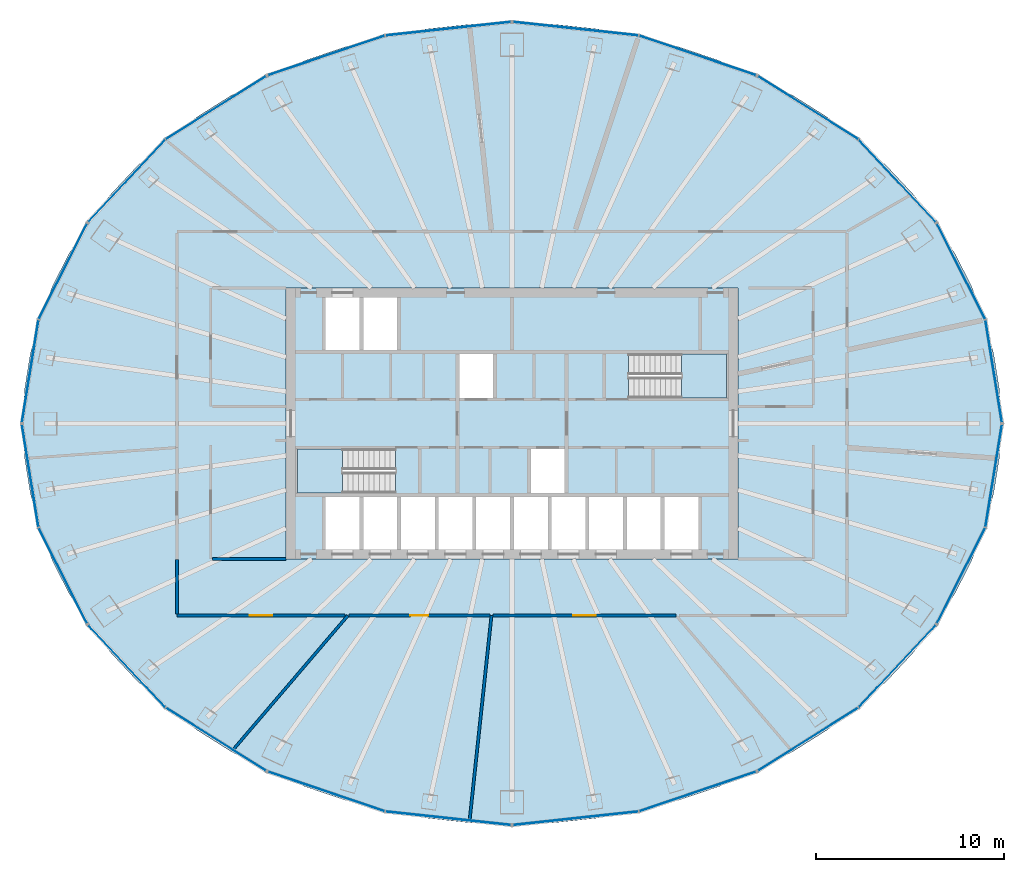
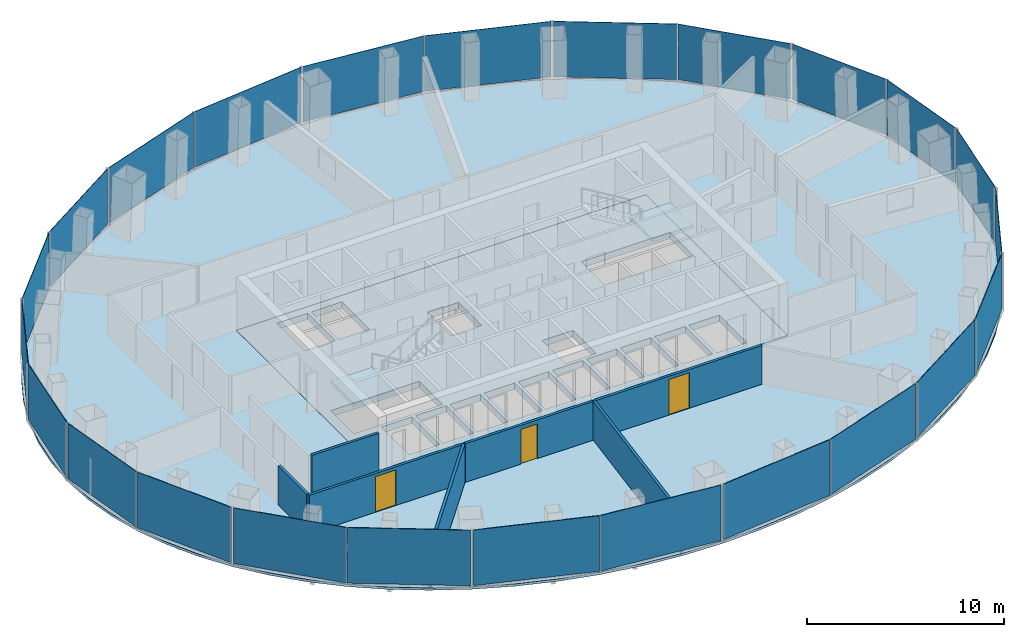
# One storey, part 7 of 12: 24 plates, 7 walls, 4 slabs, 3 doors, 3 openings, 14 elements without a shape of their own.
"""IFC4 building model written with IfcOpenShell, lengths in metres."""

from ifc_helpers import new_model, si_unit, direction, frame, frame_2d, origin, origin_2d, place, context, subcontext, project, spatial, polyline, rectangle, outline, extrude, material, layer, layer_set, type_object, element, fill, aggregate, save


model = new_model("IFC4")

# Units and contexts
model_context = context("Model", 3, precision=1e-05, world=origin(), true_north=direction((0.0, 1.0)))
body_context = subcontext(model_context, "Body", "Model", "MODEL_VIEW")
ifc_project = project(units=[si_unit("LENGTHUNIT", "METRE"), si_unit("AREAUNIT", "SQUARE_METRE"), si_unit("VOLUMEUNIT", "CUBIC_METRE"), si_unit("PLANEANGLEUNIT", "RADIAN"), si_unit("MASSUNIT", "GRAM", prefix="KILO")], contexts=[model_context])

# Site, building, storey
site_placement = place(None, origin())
site = spatial("IfcSite", under=ifc_project, at=site_placement, CompositionType="ELEMENT")
building_placement = place(site_placement, origin())
building = spatial("IfcBuilding", under=site, at=building_placement, Name="Siaravel Broadcast Tower", CompositionType="ELEMENT")
storey_placement = place(building_placement, frame((0.0, 0.0, 104.5)))
storey = spatial("IfcBuildingStorey", under=building, at=storey_placement, Name="L24", CompositionType="ELEMENT", Elevation=104.5)

# Curtain wall, plates
ifc_material_1 = material(Name="Aluminium 6063-T6", Category="aluminium")
ifc_layer_1 = layer(ifc_material_1, 0.199951171875)
ifc_layer_set_1 = layer_set([ifc_layer_1], Name="Aluminium 6063-T6")
curtain_wall_type = type_object("IfcCurtainWallType", Name="Unitised curtain wall, zone 2", PredefinedType="NOTDEFINED", material=ifc_layer_set_1)
curtain_wall_1_placement = place(storey_placement, origin())
curtain_wall_1 = element("IfcCurtainWall", 1, at=curtain_wall_1_placement, inside=storey, type_object=curtain_wall_type, Name="L24 Unitised curtain wall, zone 2 01", PredefinedType="NOTDEFINED")
ifc_material_2 = material(Name="Tinted laminated glass", Category="glass")
ifc_layer_2 = layer(ifc_material_2, 0.030029296875)
ifc_layer_set_2 = layer_set([ifc_layer_2], Name="Tinted laminated glass")
plate_type = type_object("IfcPlateType", Name="CW-Z2 glass panel", PredefinedType="CURTAIN_PANEL", material=ifc_layer_set_2)
plate_1_placement = place(storey_placement, frame((25.593017578125, 2.77880859375, 0.110107421875), z_axis=(0.0, 0.0, 1.0), x_axis=(-0.15868576, 0.987329139, 0.0)))
plate_1 = element("IfcPlate", 2, at=plate_1_placement, type_object=plate_type, Name="CW-Z2 glass panel", PredefinedType="CURTAIN_PANEL", context=body_context, shape_type="SweptSolid", body=[
    extrude(rectangle(XDim=5.498779296875, YDim=0.030029296875, at=origin_2d()), origin(), (0.0, 0.0, 1.0), 3.43994140625),
])
plate_2_placement = place(storey_placement, frame((23.857421875, 8.084716796875, 0.110107421875), z_axis=(0.0, 0.0, 1.0), x_axis=(-0.451261384, 0.892391822, 0.0)))
plate_2 = element("IfcPlate", 3, at=plate_2_placement, type_object=plate_type, Name="CW-Z2 glass panel", PredefinedType="CURTAIN_PANEL", context=body_context, shape_type="SweptSolid", body=[
    extrude(rectangle(XDim=5.6708984375, YDim=0.030029296875, at=origin_2d()), origin(), (0.0, 0.0, 1.0), 3.43994140625),
])
aggregate(curtain_wall_1, [plate_1, plate_2])

curtain_wall_2_placement = place(storey_placement, origin())
curtain_wall_2 = element("IfcCurtainWall", 4, at=curtain_wall_2_placement, inside=storey, type_object=curtain_wall_type, Name="L24 Unitised curtain wall, zone 2 02", PredefinedType="NOTDEFINED")
plate_3_placement = place(storey_placement, frame((20.467529296875, 12.894287109375, 0.110107421875), z_axis=(0.0, 0.0, 1.0), x_axis=(-0.683655524, 0.729804854, 0.0)))
plate_3 = element("IfcPlate", 5, at=plate_3_placement, type_object=plate_type, Name="CW-Z2 glass panel", PredefinedType="CURTAIN_PANEL", context=body_context, shape_type="SweptSolid", body=[
    extrude(rectangle(XDim=5.957275390625, YDim=0.030029296875, at=origin_2d()), origin(), (0.0, 0.0, 1.0), 3.43994140625),
])
plate_4_placement = place(storey_placement, frame((15.726318359375, 16.77783203125, 0.110107421875), z_axis=(0.0, 0.0, 1.0), x_axis=(-0.846650783, 0.5321489, 0.0)))
plate_4 = element("IfcPlate", 6, at=plate_4_placement, type_object=plate_type, Name="CW-Z2 glass panel", PredefinedType="CURTAIN_PANEL", context=body_context, shape_type="SweptSolid", body=[
    extrude(rectangle(XDim=6.272216796875, YDim=0.030029296875, at=origin_2d()), origin(), (0.0, 0.0, 1.0), 3.43994140625),
])
aggregate(curtain_wall_2, [plate_3, plate_4])

curtain_wall_3_placement = place(storey_placement, origin())
curtain_wall_3 = element("IfcCurtainWall", 7, at=curtain_wall_3_placement, inside=storey, type_object=curtain_wall_type, Name="L24 Unitised curtain wall, zone 2 03", PredefinedType="NOTDEFINED")
plate_5_placement = place(storey_placement, frame((9.861328125, 19.5517578125, 0.110107421875), z_axis=(0.0, 0.0, 1.0), x_axis=(-0.946977313, 0.321300433, 0.0)))
plate_5 = element("IfcPlate", 8, at=plate_5_placement, type_object=plate_type, Name="CW-Z2 glass panel", PredefinedType="CURTAIN_PANEL", context=body_context, shape_type="SweptSolid", body=[
    extrude(rectangle(XDim=6.532958984375, YDim=0.030029296875, at=origin_2d()), origin(), (0.0, 0.0, 1.0), 3.43994140625),
])
plate_6_placement = place(storey_placement, frame((3.384765625, 20.973388671875, 0.110107421875), z_axis=(0.0, 0.0, 1.0), x_axis=(-0.994235597, 0.107217428, 0.0)))
plate_6 = element("IfcPlate", 9, at=plate_6_placement, type_object=plate_type, Name="CW-Z2 glass panel", PredefinedType="CURTAIN_PANEL", context=body_context, shape_type="SweptSolid", body=[
    extrude(rectangle(XDim=6.678955078125, YDim=0.030029296875, at=origin_2d()), origin(), (0.0, 0.0, 1.0), 3.43994140625),
])
aggregate(curtain_wall_3, [plate_5, plate_6])

curtain_wall_4_placement = place(storey_placement, origin())
curtain_wall_4 = element("IfcCurtainWall", 10, at=curtain_wall_4_placement, inside=storey, type_object=curtain_wall_type, Name="L24 Unitised curtain wall, zone 2 04", PredefinedType="NOTDEFINED")
plate_7_placement = place(storey_placement, frame((-3.384765625, 20.973388671875, 0.110107421875), z_axis=(0.0, 0.0, 1.0), x_axis=(-0.994235597, -0.107217428, 0.0)))
plate_7 = element("IfcPlate", 11, at=plate_7_placement, type_object=plate_type, Name="CW-Z2 glass panel", PredefinedType="CURTAIN_PANEL", context=body_context, shape_type="SweptSolid", body=[
    extrude(rectangle(XDim=6.678955078125, YDim=0.030029296875, at=origin_2d()), origin(), (0.0, 0.0, 1.0), 3.43994140625),
])
plate_8_placement = place(storey_placement, frame((-9.861328125, 19.5517578125, 0.110107421875), z_axis=(0.0, 0.0, 1.0), x_axis=(-0.946977313, -0.321300433, 0.0)))
plate_8 = element("IfcPlate", 12, at=plate_8_placement, type_object=plate_type, Name="CW-Z2 glass panel", PredefinedType="CURTAIN_PANEL", context=body_context, shape_type="SweptSolid", body=[
    extrude(rectangle(XDim=6.532958984375, YDim=0.030029296875, at=origin_2d()), origin(), (0.0, 0.0, 1.0), 3.43994140625),
])
aggregate(curtain_wall_4, [plate_7, plate_8])

curtain_wall_5_placement = place(storey_placement, origin())
curtain_wall_5 = element("IfcCurtainWall", 13, at=curtain_wall_5_placement, inside=storey, type_object=curtain_wall_type, Name="L24 Unitised curtain wall, zone 2 05", PredefinedType="NOTDEFINED")
plate_9_placement = place(storey_placement, frame((-15.726318359375, 16.77783203125, 0.110107421875), z_axis=(0.0, 0.0, 1.0), x_axis=(-0.846650783, -0.5321489, 0.0)))
plate_9 = element("IfcPlate", 14, at=plate_9_placement, type_object=plate_type, Name="CW-Z2 glass panel", PredefinedType="CURTAIN_PANEL", context=body_context, shape_type="SweptSolid", body=[
    extrude(rectangle(XDim=6.272216796875, YDim=0.030029296875, at=origin_2d()), origin(), (0.0, 0.0, 1.0), 3.43994140625),
])
plate_10_placement = place(storey_placement, frame((-20.467529296875, 12.894287109375, 0.110107421875), z_axis=(0.0, 0.0, 1.0), x_axis=(-0.683655524, -0.729804854, 0.0)))
plate_10 = element("IfcPlate", 15, at=plate_10_placement, type_object=plate_type, Name="CW-Z2 glass panel", PredefinedType="CURTAIN_PANEL", context=body_context, shape_type="SweptSolid", body=[
    extrude(rectangle(XDim=5.957275390625, YDim=0.030029296875, at=origin_2d()), origin(), (0.0, 0.0, 1.0), 3.43994140625),
])
aggregate(curtain_wall_5, [plate_9, plate_10])

curtain_wall_6_placement = place(storey_placement, origin())
curtain_wall_6 = element("IfcCurtainWall", 16, at=curtain_wall_6_placement, inside=storey, type_object=curtain_wall_type, Name="L24 Unitised curtain wall, zone 2 06", PredefinedType="NOTDEFINED")
plate_11_placement = place(storey_placement, frame((-23.857421875, 8.084716796875, 0.110107421875), z_axis=(0.0, 0.0, 1.0), x_axis=(-0.451261384, -0.892391822, 0.0)))
plate_11 = element("IfcPlate", 17, at=plate_11_placement, type_object=plate_type, Name="CW-Z2 glass panel", PredefinedType="CURTAIN_PANEL", context=body_context, shape_type="SweptSolid", body=[
    extrude(rectangle(XDim=5.6708984375, YDim=0.030029296875, at=origin_2d()), origin(), (0.0, 0.0, 1.0), 3.43994140625),
])
plate_12_placement = place(storey_placement, frame((-25.593017578125, 2.77880859375, 0.110107421875), z_axis=(0.0, 0.0, 1.0), x_axis=(-0.15868576, -0.987329139, 0.0)))
plate_12 = element("IfcPlate", 18, at=plate_12_placement, type_object=plate_type, Name="CW-Z2 glass panel", PredefinedType="CURTAIN_PANEL", context=body_context, shape_type="SweptSolid", body=[
    extrude(rectangle(XDim=5.498779296875, YDim=0.030029296875, at=origin_2d()), origin(), (0.0, 0.0, 1.0), 3.43994140625),
])
aggregate(curtain_wall_6, [plate_11, plate_12])

curtain_wall_7_placement = place(storey_placement, origin())
curtain_wall_7 = element("IfcCurtainWall", 19, at=curtain_wall_7_placement, inside=storey, type_object=curtain_wall_type, Name="L24 Unitised curtain wall, zone 2 07", PredefinedType="NOTDEFINED")
plate_13_placement = place(storey_placement, frame((-25.593017578125, -2.77880859375, 0.110107421875), z_axis=(0.0, 0.0, 1.0), x_axis=(0.15868576, -0.987329139, 0.0)))
plate_13 = element("IfcPlate", 20, at=plate_13_placement, type_object=plate_type, Name="CW-Z2 glass panel", PredefinedType="CURTAIN_PANEL", context=body_context, shape_type="SweptSolid", body=[
    extrude(rectangle(XDim=5.498779296875, YDim=0.030029296875, at=origin_2d()), origin(), (0.0, 0.0, 1.0), 3.43994140625),
])
plate_14_placement = place(storey_placement, frame((-23.857421875, -8.084716796875, 0.110107421875), z_axis=(0.0, 0.0, 1.0), x_axis=(0.451261384, -0.892391822, 0.0)))
plate_14 = element("IfcPlate", 21, at=plate_14_placement, type_object=plate_type, Name="CW-Z2 glass panel", PredefinedType="CURTAIN_PANEL", context=body_context, shape_type="SweptSolid", body=[
    extrude(rectangle(XDim=5.6708984375, YDim=0.030029296875, at=origin_2d()), origin(), (0.0, 0.0, 1.0), 3.43994140625),
])
aggregate(curtain_wall_7, [plate_13, plate_14])

curtain_wall_8_placement = place(storey_placement, origin())
curtain_wall_8 = element("IfcCurtainWall", 22, at=curtain_wall_8_placement, inside=storey, type_object=curtain_wall_type, Name="L24 Unitised curtain wall, zone 2 08", PredefinedType="NOTDEFINED")
plate_15_placement = place(storey_placement, frame((-20.467529296875, -12.894287109375, 0.110107421875), z_axis=(0.0, 0.0, 1.0), x_axis=(0.683655524, -0.729804854, 0.0)))
plate_15 = element("IfcPlate", 23, at=plate_15_placement, type_object=plate_type, Name="CW-Z2 glass panel", PredefinedType="CURTAIN_PANEL", context=body_context, shape_type="SweptSolid", body=[
    extrude(rectangle(XDim=5.957275390625, YDim=0.030029296875, at=origin_2d()), origin(), (0.0, 0.0, 1.0), 3.43994140625),
])
plate_16_placement = place(storey_placement, frame((-15.726318359375, -16.77783203125, 0.110107421875), z_axis=(0.0, 0.0, 1.0), x_axis=(0.846650783, -0.5321489, 0.0)))
plate_16 = element("IfcPlate", 24, at=plate_16_placement, type_object=plate_type, Name="CW-Z2 glass panel", PredefinedType="CURTAIN_PANEL", context=body_context, shape_type="SweptSolid", body=[
    extrude(rectangle(XDim=6.272216796875, YDim=0.030029296875, at=origin_2d()), origin(), (0.0, 0.0, 1.0), 3.43994140625),
])
aggregate(curtain_wall_8, [plate_15, plate_16])

curtain_wall_9_placement = place(storey_placement, origin())
curtain_wall_9 = element("IfcCurtainWall", 25, at=curtain_wall_9_placement, inside=storey, type_object=curtain_wall_type, Name="L24 Unitised curtain wall, zone 2 09", PredefinedType="NOTDEFINED")
plate_17_placement = place(storey_placement, frame((-9.861328125, -19.5517578125, 0.110107421875), z_axis=(0.0, 0.0, 1.0), x_axis=(0.946977313, -0.321300433, 0.0)))
plate_17 = element("IfcPlate", 26, at=plate_17_placement, type_object=plate_type, Name="CW-Z2 glass panel", PredefinedType="CURTAIN_PANEL", context=body_context, shape_type="SweptSolid", body=[
    extrude(rectangle(XDim=6.532958984375, YDim=0.030029296875, at=origin_2d()), origin(), (0.0, 0.0, 1.0), 3.43994140625),
])
plate_18_placement = place(storey_placement, frame((-3.384765625, -20.973388671875, 0.110107421875), z_axis=(0.0, 0.0, 1.0), x_axis=(0.994235597, -0.107217428, 0.0)))
plate_18 = element("IfcPlate", 27, at=plate_18_placement, type_object=plate_type, Name="CW-Z2 glass panel", PredefinedType="CURTAIN_PANEL", context=body_context, shape_type="SweptSolid", body=[
    extrude(rectangle(XDim=6.678955078125, YDim=0.030029296875, at=origin_2d()), origin(), (0.0, 0.0, 1.0), 3.43994140625),
])
aggregate(curtain_wall_9, [plate_17, plate_18])

curtain_wall_10_placement = place(storey_placement, origin())
curtain_wall_10 = element("IfcCurtainWall", 28, at=curtain_wall_10_placement, inside=storey, type_object=curtain_wall_type, Name="L24 Unitised curtain wall, zone 2 10", PredefinedType="NOTDEFINED")
plate_19_placement = place(storey_placement, frame((3.384765625, -20.973388671875, 0.110107421875), z_axis=(0.0, 0.0, 1.0), x_axis=(0.994235597, 0.107217428, 0.0)))
plate_19 = element("IfcPlate", 29, at=plate_19_placement, type_object=plate_type, Name="CW-Z2 glass panel", PredefinedType="CURTAIN_PANEL", context=body_context, shape_type="SweptSolid", body=[
    extrude(rectangle(XDim=6.678955078125, YDim=0.030029296875, at=origin_2d()), origin(), (0.0, 0.0, 1.0), 3.43994140625),
])
plate_20_placement = place(storey_placement, frame((9.861328125, -19.5517578125, 0.110107421875), z_axis=(0.0, 0.0, 1.0), x_axis=(0.946977313, 0.321300433, 0.0)))
plate_20 = element("IfcPlate", 30, at=plate_20_placement, type_object=plate_type, Name="CW-Z2 glass panel", PredefinedType="CURTAIN_PANEL", context=body_context, shape_type="SweptSolid", body=[
    extrude(rectangle(XDim=6.532958984375, YDim=0.030029296875, at=origin_2d()), origin(), (0.0, 0.0, 1.0), 3.43994140625),
])
aggregate(curtain_wall_10, [plate_19, plate_20])

curtain_wall_11_placement = place(storey_placement, origin())
curtain_wall_11 = element("IfcCurtainWall", 31, at=curtain_wall_11_placement, inside=storey, type_object=curtain_wall_type, Name="L24 Unitised curtain wall, zone 2 11", PredefinedType="NOTDEFINED")
plate_21_placement = place(storey_placement, frame((15.726318359375, -16.77783203125, 0.110107421875), z_axis=(0.0, 0.0, 1.0), x_axis=(0.846650783, 0.5321489, 0.0)))
plate_21 = element("IfcPlate", 32, at=plate_21_placement, type_object=plate_type, Name="CW-Z2 glass panel", PredefinedType="CURTAIN_PANEL", context=body_context, shape_type="SweptSolid", body=[
    extrude(rectangle(XDim=6.272216796875, YDim=0.030029296875, at=origin_2d()), origin(), (0.0, 0.0, 1.0), 3.43994140625),
])
plate_22_placement = place(storey_placement, frame((20.467529296875, -12.894287109375, 0.110107421875), z_axis=(0.0, 0.0, 1.0), x_axis=(0.683655524, 0.729804854, 0.0)))
plate_22 = element("IfcPlate", 33, at=plate_22_placement, type_object=plate_type, Name="CW-Z2 glass panel", PredefinedType="CURTAIN_PANEL", context=body_context, shape_type="SweptSolid", body=[
    extrude(rectangle(XDim=5.957275390625, YDim=0.030029296875, at=origin_2d()), origin(), (0.0, 0.0, 1.0), 3.43994140625),
])
aggregate(curtain_wall_11, [plate_21, plate_22])

curtain_wall_12_placement = place(storey_placement, origin())
curtain_wall_12 = element("IfcCurtainWall", 34, at=curtain_wall_12_placement, inside=storey, type_object=curtain_wall_type, Name="L24 Unitised curtain wall, zone 2 12", PredefinedType="NOTDEFINED")
plate_23_placement = place(storey_placement, frame((23.857421875, -8.084716796875, 0.110107421875), z_axis=(0.0, 0.0, 1.0), x_axis=(0.451261384, 0.892391822, 0.0)))
plate_23 = element("IfcPlate", 35, at=plate_23_placement, type_object=plate_type, Name="CW-Z2 glass panel", PredefinedType="CURTAIN_PANEL", context=body_context, shape_type="SweptSolid", body=[
    extrude(rectangle(XDim=5.6708984375, YDim=0.030029296875, at=origin_2d()), origin(), (0.0, 0.0, 1.0), 3.43994140625),
])
plate_24_placement = place(storey_placement, frame((25.593017578125, -2.77880859375, 0.110107421875), z_axis=(0.0, 0.0, 1.0), x_axis=(0.15868576, 0.987329139, 0.0)))
plate_24 = element("IfcPlate", 36, at=plate_24_placement, type_object=plate_type, Name="CW-Z2 glass panel", PredefinedType="CURTAIN_PANEL", context=body_context, shape_type="SweptSolid", body=[
    extrude(rectangle(XDim=5.498779296875, YDim=0.030029296875, at=origin_2d()), origin(), (0.0, 0.0, 1.0), 3.43994140625),
])
aggregate(curtain_wall_12, [plate_23, plate_24])

# Slabs
ifc_material_3 = material(Name="Concrete C40/50", Category="concrete")
ifc_layer_3 = layer(ifc_material_3, 0.39990234375)
ifc_layer_set_3 = layer_set([ifc_layer_3], Name="Concrete C40/50")
slab_type_1 = type_object("IfcSlabType", Name="Core floor slab 400", PredefinedType="FLOOR", material=ifc_layer_set_3)
slab_1_placement = place(storey_placement, frame((0.0, 0.0, -0.39990234375)))
element("IfcSlab", 37, at=slab_1_placement, inside=storey, type_object=slab_type_1, Name="L24 core floor", PredefinedType="FLOOR", context=body_context, shape_type="SweptSolid", body=[
    extrude(outline(polyline([(-12.0, -7.199951171875), (-12.0, 7.199951171875), (12.0, 7.199951171875), (12.0, -7.199951171875), (-12.0, -7.199951171875)]), holes=[polyline([(11.3994140625, 1.3505859375), (11.3994140625, 3.699462890625), (6.200439453125, 3.699462890625), (6.200439453125, 1.3505859375), (11.3994140625, 1.3505859375)]), polyline([(9.89990234375, -3.89990234375), (8.10009765625, -3.89990234375), (8.10009765625, -6.699951171875), (9.89990234375, -6.699951171875), (9.89990234375, -3.89990234375)]), polyline([(7.89990234375, -3.89990234375), (6.10009765625, -3.89990234375), (6.10009765625, -6.699951171875), (7.89990234375, -6.699951171875), (7.89990234375, -3.89990234375)]), polyline([(5.89990234375, -3.89990234375), (4.10009765625, -3.89990234375), (4.10009765625, -6.699951171875), (5.89990234375, -6.699951171875), (5.89990234375, -3.89990234375)]), polyline([(3.89990234375, -3.89990234375), (2.10009765625, -3.89990234375), (2.10009765625, -6.699951171875), (3.89990234375, -6.699951171875), (3.89990234375, -3.89990234375)]), polyline([(2.800048828125, -1.35009765625), (1.0, -1.35009765625), (1.0, -3.699951171875), (2.800048828125, -3.699951171875), (2.800048828125, -1.35009765625)]), polyline([(1.89990234375, -3.89990234375), (0.10009765625, -3.89990234375), (0.10009765625, -6.699951171875), (1.89990234375, -6.699951171875), (1.89990234375, -3.89990234375)]), polyline([(-0.10009765625, -3.89990234375), (-1.89990234375, -3.89990234375), (-1.89990234375, -6.699951171875), (-0.10009765625, -6.699951171875), (-0.10009765625, -3.89990234375)]), polyline([(-1.0, 3.699951171875), (-2.800048828125, 3.699951171875), (-2.800048828125, 1.35009765625), (-1.0, 1.35009765625), (-1.0, 3.699951171875)]), polyline([(-2.10009765625, -3.89990234375), (-3.89990234375, -3.89990234375), (-3.89990234375, -6.699951171875), (-2.10009765625, -6.699951171875), (-2.10009765625, -3.89990234375)]), polyline([(-4.10009765625, -3.89990234375), (-5.89990234375, -3.89990234375), (-5.89990234375, -6.699951171875), (-4.10009765625, -6.699951171875), (-4.10009765625, -3.89990234375)]), polyline([(-6.10009765625, -3.89990234375), (-7.89990234375, -3.89990234375), (-7.89990234375, -6.699951171875), (-6.10009765625, -6.699951171875), (-6.10009765625, -3.89990234375)]), polyline([(-6.10009765625, 6.699951171875), (-7.89990234375, 6.699951171875), (-7.89990234375, 3.89990234375), (-6.10009765625, 3.89990234375), (-6.10009765625, 6.699951171875)]), polyline([(-11.3994140625, -1.3505859375), (-11.3994140625, -3.699462890625), (-6.200439453125, -3.699462890625), (-6.200439453125, -1.3505859375), (-11.3994140625, -1.3505859375)]), polyline([(-8.10009765625, -3.89990234375), (-9.89990234375, -3.89990234375), (-9.89990234375, -6.699951171875), (-8.10009765625, -6.699951171875), (-8.10009765625, -3.89990234375)]), polyline([(-8.10009765625, 6.699951171875), (-9.89990234375, 6.699951171875), (-9.89990234375, 3.89990234375), (-8.10009765625, 3.89990234375), (-8.10009765625, 6.699951171875)])]), origin(), (0.0, 0.0, 1.0), 0.39990234375),
])
ifc_layer_4 = layer(ifc_material_3, 0.14990234375)
ifc_layer_set_4 = layer_set([ifc_layer_4], Name="Concrete C40/50")
slab_type_2 = type_object("IfcSlabType", Name="SLB-FLOOR-150", PredefinedType="FLOOR", material=ifc_layer_set_4)
slab_2_placement = place(storey_placement, frame((0.0, 0.0, -0.14990234375)))
element("IfcSlab", 38, at=slab_2_placement, inside=storey, type_object=slab_type_2, Name="Floor slab", PredefinedType="FLOOR", context=body_context, shape_type="SweptSolid", body=[
    extrude(outline(polyline([(25.989501953125, 0.0), (25.890625, 1.85546875), (25.5947265625, 3.69677734375), (25.10400390625, 5.509765625), (24.422119140625, 7.281005859375), (23.554443359375, 8.996826171875), (22.507568359375, 10.64404296875), (21.289306640625, 12.21044921875), (19.9091796875, 13.683837890625), (18.37744140625, 15.052978515625), (16.705810546875, 16.307861328125), (14.906982421875, 17.4384765625), (12.994873046875, 18.436279296875), (10.983642578125, 19.293701171875), (8.888916015625, 20.00439453125), (6.7265625, 20.56298828125), (4.512939453125, 20.96484375), (2.26513671875, 21.207275390625), (0.0, 21.288330078125), (-2.26513671875, 21.207275390625), (-4.512939453125, 20.96484375), (-6.7265625, 20.56298828125), (-8.888916015625, 20.00439453125), (-10.983642578125, 19.293701171875), (-12.99462890625, 18.436279296875), (-14.906982421875, 17.4384765625), (-16.705810546875, 16.307861328125), (-18.37744140625, 15.052978515625), (-19.9091796875, 13.683837890625), (-21.289306640625, 12.21044921875), (-22.507568359375, 10.64404296875), (-23.554443359375, 8.996826171875), (-24.422119140625, 7.281005859375), (-25.10400390625, 5.509765625), (-25.5947265625, 3.69677734375), (-25.890625, 1.85546875), (-25.989501953125, 0.0), (-25.890625, -1.85546875), (-25.5947265625, -3.69677734375), (-25.10400390625, -5.509765625), (-24.422119140625, -7.281005859375), (-23.554443359375, -8.996826171875), (-22.507568359375, -10.644287109375), (-21.289306640625, -12.21044921875), (-19.9091796875, -13.683837890625), (-18.37744140625, -15.052978515625), (-16.705810546875, -16.307861328125), (-14.906982421875, -17.4384765625), (-12.994873046875, -18.436279296875), (-10.983642578125, -19.293701171875), (-8.888916015625, -20.00439453125), (-6.7265625, -20.56298828125), (-4.512939453125, -20.96484375), (-2.26513671875, -21.207275390625), (0.0, -21.288330078125), (2.26513671875, -21.207275390625), (4.512939453125, -20.96484375), (6.7265625, -20.56298828125), (8.888916015625, -20.00439453125), (10.983642578125, -19.293701171875), (12.994873046875, -18.436279296875), (14.906982421875, -17.4384765625), (16.705810546875, -16.307861328125), (18.37744140625, -15.052978515625), (19.9091796875, -13.683837890625), (21.289306640625, -12.21044921875), (22.507568359375, -10.644287109375), (23.554443359375, -8.996826171875), (24.422119140625, -7.281005859375), (25.10400390625, -5.509765625), (25.5947265625, -3.69677734375), (25.890625, -1.85546875), (25.989501953125, 0.0)]), holes=[polyline([(-12.0, 7.199951171875), (12.0, 7.199951171875), (12.0, -7.199951171875), (-12.0, -7.199951171875), (-12.0, 7.199951171875)])]), origin(), (0.0, 0.0, 1.0), 0.14990234375),
])

# Stair, slab
stair_type = type_object("IfcStairType", Name="Core exit stair", PredefinedType="HALF_TURN_STAIR", material=ifc_material_3)
stair_1_placement = place(storey_placement, origin())
stair_1 = element("IfcStair", 39, at=stair_1_placement, inside=storey, type_object=stair_type, Name="L24 Exit stair ST-1", PredefinedType="HALF_TURN_STAIR")
ifc_layer_5 = layer(ifc_material_3, 0.199951171875)
ifc_layer_set_5 = layer_set([ifc_layer_5], Name="Concrete C40/50")
slab_type_3 = type_object("IfcSlabType", Name="Stair landing", PredefinedType="LANDING", material=ifc_layer_set_5)
slab_3_placement = place(storey_placement, frame((0.0, 0.0, 1.64990234375)))
slab_3 = element("IfcSlab", 40, at=slab_3_placement, type_object=slab_type_3, Name="ST-1 landing 1", PredefinedType="LANDING", context=body_context, shape_type="SweptSolid", body=[
    extrude(outline(polyline([(-9.0, -1.35009765625), (-11.39990234375, -1.35009765625), (-11.39990234375, -3.699951171875), (-9.0, -3.699951171875), (-9.0, -1.35009765625)])), origin(), (0.0, 0.0, 1.0), 0.2001953125),
])
aggregate(stair_1, [slab_3])

stair_2_placement = place(storey_placement, origin())
stair_2 = element("IfcStair", 41, at=stair_2_placement, inside=storey, type_object=stair_type, Name="L24 Exit stair ST-2", PredefinedType="HALF_TURN_STAIR")
slab_4_placement = place(storey_placement, frame((0.0, 0.0, 1.64990234375)))
slab_4 = element("IfcSlab", 42, at=slab_4_placement, type_object=slab_type_3, Name="ST-2 landing 1", PredefinedType="LANDING", context=body_context, shape_type="SweptSolid", body=[
    extrude(outline(polyline([(9.0, 1.35009765625), (11.39990234375, 1.35009765625), (11.39990234375, 3.699951171875), (9.0, 3.699951171875), (9.0, 1.35009765625)])), origin(), (0.0, 0.0, 1.0), 0.2001953125),
])
aggregate(stair_2, [slab_4])

# Wall, opening, door
ifc_material_4 = material(Name="Gypsum board partition", Category="gypsum")
ifc_layer_6 = layer(ifc_material_4, 0.14990234375)
ifc_layer_set_6 = layer_set([ifc_layer_6], Name="Gypsum board partition")
wall_type_1 = type_object("IfcWallType", Name="Corridor wall 150", PredefinedType="PARTITIONING", material=ifc_layer_set_6)
wall_1_placement = place(storey_placement, frame((-1.012939453125, -10.199951171875, 0.0), z_axis=(0.0, 0.0, 1.0), x_axis=(1.0, 0.0, 0.0)))
wall_1 = element("IfcWall", 43, at=wall_1_placement, inside=storey, type_object=wall_type_1, Name="L24 partition 6", PredefinedType="PARTITIONING", context=body_context, shape_type="SweptSolid", body=[
    extrude(rectangle(XDim=9.732177734375, YDim=0.14990234375, at=frame_2d((4.8662109375, 0.0))), origin(), (0.0, 0.0, 1.0), 2.39990234375),
])
opening_1_placement = place(wall_1_placement, frame((4.26611328125, 0.0, 0.0)))
opening_1 = element("IfcOpeningElement", 44, at=opening_1_placement, cuts=wall_1, Name="Opening L24-009", PredefinedType="OPENING", context=body_context, shape_type="SweptSolid", body=[
    extrude(rectangle(XDim=1.199951171875, YDim=2.199951171875, at=frame_2d((0.60009765625, 1.10009765625))), frame((0.0, 0.0849609375, 0.0), z_axis=(0.0, -1.0, 0.0), x_axis=(1.0, 0.0, 0.0)), (0.0, 0.0, 1.0), 0.169921875),
])
ifc_material_5 = material(Name="Timber veneer", Category="wood")
door_type_1 = type_object("IfcDoorType", Name="Office double door 1200", OperationType="DOUBLE_DOOR_SINGLE_SWING", PredefinedType="DOOR", material=ifc_material_5)
door_1_placement = place(opening_1_placement, origin())
door_1 = element("IfcDoor", 45, at=door_1_placement, inside=storey, type_object=door_type_1, Name="L24 door to Open plan production office", OperationType="DOUBLE_DOOR_SINGLE_SWING", OverallHeight=2.199951171875, OverallWidth=1.199951171875, PredefinedType="DOOR", context=body_context, shape_type="SweptSolid", body=[
    extrude(rectangle(XDim=1.199951171875, YDim=2.199951171875, at=frame_2d((0.60009765625, 1.10009765625))), frame((0.0, 0.02490234375, 0.0), z_axis=(0.0, -1.0, 0.0), x_axis=(1.0, 0.0, 0.0)), (0.0, 0.0, 1.0), 0.050048828125),
])
fill(opening_1, door_1)

wall_2_placement = place(storey_placement, frame((-17.800048828125, -10.199951171875, 0.0), z_axis=(0.0, 0.0, 1.0), x_axis=(1.0, 0.0, 0.0)))
wall_2 = element("IfcWall", 46, at=wall_2_placement, inside=storey, type_object=wall_type_1, Name="L24 partition 9", PredefinedType="PARTITIONING", context=body_context, shape_type="SweptSolid", body=[
    extrude(rectangle(XDim=8.916015625, YDim=0.14990234375, at=frame_2d((4.4580078125, 0.0))), origin(), (0.0, 0.0, 1.0), 2.39990234375),
])
opening_2_placement = place(wall_2_placement, frame((3.85791015625, 0.0, 0.0)))
opening_2 = element("IfcOpeningElement", 47, at=opening_2_placement, cuts=wall_2, Name="Opening L24-005", PredefinedType="OPENING", context=body_context, shape_type="SweptSolid", body=[
    extrude(rectangle(XDim=1.199951171875, YDim=2.199951171875, at=frame_2d((0.60009765625, 1.10009765625))), frame((0.0, 0.0849609375, 0.0), z_axis=(0.0, -1.0, 0.0), x_axis=(1.0, 0.0, 0.0)), (0.0, 0.0, 1.0), 0.169921875),
])
door_2_placement = place(opening_2_placement, origin())
door_2 = element("IfcDoor", 48, at=door_2_placement, inside=storey, type_object=door_type_1, Name="L24 door to Open plan production office", OperationType="DOUBLE_DOOR_SINGLE_SWING", OverallHeight=2.199951171875, OverallWidth=1.199951171875, PredefinedType="DOOR", context=body_context, shape_type="SweptSolid", body=[
    extrude(rectangle(XDim=1.199951171875, YDim=2.199951171875, at=frame_2d((0.60009765625, 1.10009765625))), frame((0.0, 0.02490234375, 0.0), z_axis=(0.0, -1.0, 0.0), x_axis=(1.0, 0.0, 0.0)), (0.0, 0.0, 1.0), 0.050048828125),
])
fill(opening_2, door_2)

wall_3_placement = place(storey_placement, frame((-8.660400390625, -10.199951171875, 0.0), z_axis=(0.0, 0.0, 1.0), x_axis=(1.0, 0.0, 0.0)))
wall_3 = element("IfcWall", 49, at=wall_3_placement, inside=storey, type_object=wall_type_1, Name="L24 partition 14", PredefinedType="PARTITIONING", context=body_context, shape_type="SweptSolid", body=[
    extrude(rectangle(XDim=7.485595703125, YDim=0.14990234375, at=frame_2d((3.74267578125, 0.0))), origin(), (0.0, 0.0, 1.0), 2.39990234375),
])
opening_3_placement = place(wall_3_placement, frame((3.267578125, 0.0, 0.0)))
opening_3 = element("IfcOpeningElement", 50, at=opening_3_placement, cuts=wall_3, Name="Opening L24-008", PredefinedType="OPENING", context=body_context, shape_type="SweptSolid", body=[
    extrude(rectangle(XDim=0.949951171875, YDim=2.14990234375, at=frame_2d((0.47509765625, 1.074951171875))), frame((0.0, 0.0849609375, 0.0), z_axis=(0.0, -1.0, 0.0), x_axis=(1.0, 0.0, 0.0)), (0.0, 0.0, 1.0), 0.169921875),
])
door_type_2 = type_object("IfcDoorType", Name="Office door 950", OperationType="SINGLE_SWING_LEFT", PredefinedType="DOOR", material=ifc_material_5)
door_3_placement = place(opening_3_placement, origin())
door_3 = element("IfcDoor", 51, at=door_3_placement, inside=storey, type_object=door_type_2, Name="L24 door to Design studio", OperationType="SINGLE_SWING_RIGHT", OverallHeight=2.14990234375, OverallWidth=0.949951171875, PredefinedType="DOOR", context=body_context, shape_type="SweptSolid", body=[
    extrude(rectangle(XDim=0.949951171875, YDim=2.14990234375, at=frame_2d((0.47509765625, 1.074951171875))), frame((0.0, 0.02490234375, 0.0), z_axis=(0.0, -1.0, 0.0), x_axis=(1.0, 0.0, 0.0)), (0.0, 0.0, 1.0), 0.050048828125),
])
fill(opening_3, door_3)

# Walls
wall_4_placement = place(storey_placement, frame((-12.0, -7.199951171875, 0.0), z_axis=(0.0, 0.0, 1.0), x_axis=(-1.0, 0.0, 0.0)))
element("IfcWall", 52, at=wall_4_placement, inside=storey, type_object=wall_type_1, Name="L24 partition 27", PredefinedType="PARTITIONING", context=body_context, shape_type="SweptSolid", body=[
    extrude(rectangle(XDim=3.923095703125, YDim=0.14990234375, at=frame_2d((1.96142578125, 0.0))), origin(), (0.0, 0.0, 1.0), 2.39990234375),
])
wall_5_placement = place(storey_placement, frame((-17.800048828125, -7.212890625, 0.0), z_axis=(0.0, 0.0, 1.0), x_axis=(0.0, -1.0, 0.0)))
element("IfcWall", 53, at=wall_5_placement, inside=storey, type_object=wall_type_1, Name="L24 partition 36", PredefinedType="PARTITIONING", context=body_context, shape_type="SweptSolid", body=[
    extrude(rectangle(XDim=2.91015625, YDim=0.14990234375, at=frame_2d((1.455078125, 0.0))), origin(), (0.0, 0.0, 1.0), 2.39990234375),
])
ifc_layer_7 = layer(ifc_material_4, 0.14990234375)
ifc_layer_set_7 = layer_set([ifc_layer_7], Name="Gypsum board partition")
wall_type_2 = type_object("IfcWallType", Name="Room partition 150", PredefinedType="PARTITIONING", material=ifc_layer_set_7)
wall_6_placement = place(storey_placement, frame((-2.252197265625, -21.087890625, 0.0), z_axis=(0.0, 0.0, 1.0), x_axis=(0.106196959, 0.994345114, 0.0)))
element("IfcWall", 54, at=wall_6_placement, inside=storey, type_object=wall_type_2, Name="L24 partition 3", PredefinedType="PARTITIONING", context=body_context, shape_type="SweptSolid", body=[
    extrude(rectangle(XDim=10.949951171875, YDim=0.14990234375, at=frame_2d((5.47509765625, 0.0))), origin(), (0.0, 0.0, 1.0), 2.39990234375),
])
wall_7_placement = place(storey_placement, frame((-14.826904296875, -17.344970703125, 0.0), z_axis=(0.0, 0.0, 1.0), x_axis=(0.649770499, 0.760130448, 0.0)))
element("IfcWall", 55, at=wall_7_placement, inside=storey, type_object=wall_type_2, Name="L24 partition 8", PredefinedType="PARTITIONING", context=body_context, shape_type="SweptSolid", body=[
    extrude(rectangle(XDim=9.399658203125, YDim=0.14990234375, at=frame_2d((4.69970703125, 0.0))), origin(), (0.0, 0.0, 1.0), 2.39990234375),
])

save(model, "model.ifc")
